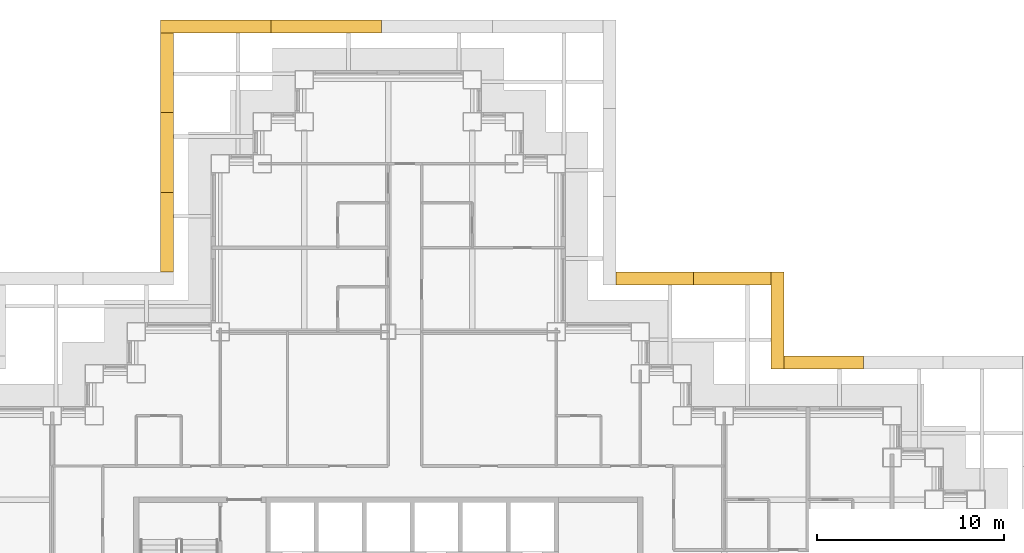
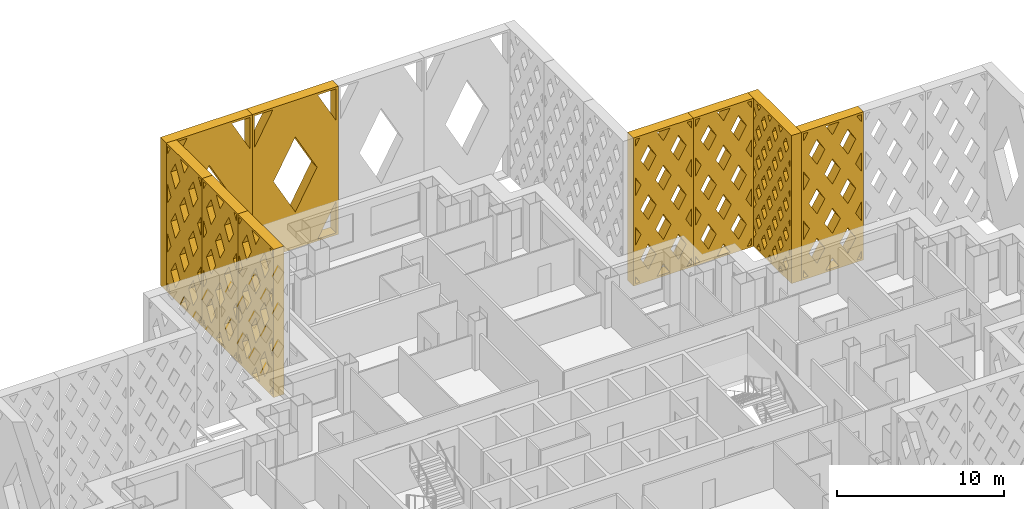
# One storey, part 18 of 19: 9 shading devices.
"""IFC4 building model written with IfcOpenShell, lengths in metres."""

from ifc_helpers import new_model, si_unit, direction, frame, origin, place, context, subcontext, project, spatial, polyline, outline, extrude, material, type_object, element, save


model = new_model("IFC4")

# Units and contexts
model_context = context("Model", 3, precision=1e-05, world=origin(), true_north=direction((0.0, 1.0)))
body_context = subcontext(model_context, "Body", "Model", "MODEL_VIEW")
ifc_project = project(units=[si_unit("LENGTHUNIT", "METRE"), si_unit("AREAUNIT", "SQUARE_METRE"), si_unit("VOLUMEUNIT", "CUBIC_METRE"), si_unit("PLANEANGLEUNIT", "RADIAN"), si_unit("MASSUNIT", "GRAM", prefix="KILO")], contexts=[model_context])

# Site, building, storey
site_placement = place(None, origin())
site = spatial("IfcSite", under=ifc_project, at=site_placement, CompositionType="ELEMENT")
building_placement = place(site_placement, origin())
building = spatial("IfcBuilding", under=site, at=building_placement, Name="Caravel Reach Hotel and Residences", CompositionType="ELEMENT")
storey_placement = place(building_placement, frame((0.0, 0.0, 74.39990234375)))
storey = spatial("IfcBuildingStorey", under=building, at=storey_placement, Name="L17", CompositionType="ELEMENT", Elevation=74.39990234375)

# Shading devices
ifc_material_1 = material(Name="Black powder-coated aluminium", Category="aluminium")
shading_device_type_1 = type_object("IfcShadingDeviceType", Name="Diamond lattice screen panel 4150 x 10800", PredefinedType="USERDEFINED", material=ifc_material_1)
shading_device_1_placement = place(storey_placement, frame((52.0, 43.0, 0.0), z_axis=(0.0, 1.0, 0.0), x_axis=(-1.0, 0.0, 0.0)))
element("IfcShadingDevice", 1, at=shading_device_1_placement, inside=storey, type_object=shading_device_type_1, Name="Lattice screen L17-L19 10.1", ObjectType="SCREEN", PredefinedType="USERDEFINED", context=body_context, shape_type="SweptSolid", body=[
    extrude(outline(polyline([(0.0, 0.0), (4.14990234375, 0.0), (4.14990234375, 10.800048828125), (0.0, 10.800048828125), (0.0, 0.0)]), holes=[polyline([(0.445556640625, 0.14990234375), (0.14990234375, 0.662841796875), (0.14990234375, 0.14990234375), (0.445556640625, 0.14990234375)]), polyline([(0.531982421875, 3.60009765625), (0.14990234375, 4.2626953125), (0.14990234375, 2.937255859375), (0.531982421875, 3.60009765625)]), polyline([(0.531982421875, 7.199951171875), (0.14990234375, 7.86279296875), (0.14990234375, 6.537353515625), (0.531982421875, 7.199951171875)]), polyline([(0.14990234375, 10.13720703125), (0.445556640625, 10.64990234375), (0.14990234375, 10.64990234375), (0.14990234375, 10.13720703125)]), polyline([(1.03759765625, 2.722900390625), (0.505615234375, 1.800048828125), (1.03759765625, 0.876953125), (1.569580078125, 1.800048828125), (1.03759765625, 2.722900390625)]), polyline([(1.03759765625, 6.322998046875), (0.505615234375, 5.39990234375), (1.03759765625, 4.47705078125), (1.569580078125, 5.39990234375), (1.03759765625, 6.322998046875)]), polyline([(1.03759765625, 9.9228515625), (0.505615234375, 9.0), (1.03759765625, 8.0771484375), (1.569580078125, 9.0), (1.03759765625, 9.9228515625)]), polyline([(2.074951171875, 0.9228515625), (1.62939453125, 0.14990234375), (2.5205078125, 0.14990234375), (2.074951171875, 0.9228515625)]), polyline([(2.074951171875, 4.52294921875), (1.54296875, 3.60009765625), (2.074951171875, 2.677001953125), (2.60693359375, 3.60009765625), (2.074951171875, 4.52294921875)]), polyline([(2.074951171875, 8.123046875), (1.54296875, 7.199951171875), (2.074951171875, 6.277099609375), (2.60693359375, 7.199951171875), (2.074951171875, 8.123046875)]), polyline([(2.074951171875, 9.876953125), (2.5205078125, 10.64990234375), (1.62939453125, 10.64990234375), (2.074951171875, 9.876953125)]), polyline([(3.112548828125, 2.722900390625), (2.58056640625, 1.800048828125), (3.112548828125, 0.876953125), (3.64453125, 1.800048828125), (3.112548828125, 2.722900390625)]), polyline([(3.112548828125, 6.322998046875), (2.58056640625, 5.39990234375), (3.112548828125, 4.47705078125), (3.64453125, 5.39990234375), (3.112548828125, 6.322998046875)]), polyline([(3.112548828125, 9.9228515625), (2.58056640625, 9.0), (3.112548828125, 8.0771484375), (3.64453125, 9.0), (3.112548828125, 9.9228515625)]), polyline([(4.0, 0.662841796875), (3.70458984375, 0.14990234375), (4.0, 0.14990234375), (4.0, 0.662841796875)]), polyline([(3.617919921875, 3.60009765625), (4.0, 2.937255859375), (4.0, 4.2626953125), (3.617919921875, 3.60009765625)]), polyline([(3.617919921875, 7.199951171875), (4.0, 6.537353515625), (4.0, 7.86279296875), (3.617919921875, 7.199951171875)]), polyline([(3.70458984375, 10.64990234375), (4.0, 10.13720703125), (4.0, 10.64990234375), (3.70458984375, 10.64990234375)])]), origin(), (0.0, 0.0, 1.0), 0.699951171875),
])
shading_device_2_placement = place(storey_placement, frame((47.85009765625, 43.0, 0.0), z_axis=(0.0, 1.0, 0.0), x_axis=(-1.0, 0.0, 0.0)))
element("IfcShadingDevice", 2, at=shading_device_2_placement, inside=storey, type_object=shading_device_type_1, Name="Lattice screen L17-L19 10.2", ObjectType="SCREEN", PredefinedType="USERDEFINED", context=body_context, shape_type="SweptSolid", body=[
    extrude(outline(polyline([(0.0, 0.0), (4.14990234375, 0.0), (4.14990234375, 10.800048828125), (0.0, 10.800048828125), (0.0, 0.0)]), holes=[polyline([(0.445556640625, 0.14990234375), (0.14990234375, 0.662841796875), (0.14990234375, 0.14990234375), (0.445556640625, 0.14990234375)]), polyline([(0.531982421875, 3.60009765625), (0.14990234375, 4.2626953125), (0.14990234375, 2.937255859375), (0.531982421875, 3.60009765625)]), polyline([(0.531982421875, 7.199951171875), (0.14990234375, 7.86279296875), (0.14990234375, 6.537353515625), (0.531982421875, 7.199951171875)]), polyline([(0.14990234375, 10.13720703125), (0.445556640625, 10.64990234375), (0.14990234375, 10.64990234375), (0.14990234375, 10.13720703125)]), polyline([(1.03759765625, 2.722900390625), (0.505615234375, 1.800048828125), (1.03759765625, 0.876953125), (1.569580078125, 1.800048828125), (1.03759765625, 2.722900390625)]), polyline([(1.03759765625, 6.322998046875), (0.505615234375, 5.39990234375), (1.03759765625, 4.47705078125), (1.569580078125, 5.39990234375), (1.03759765625, 6.322998046875)]), polyline([(1.03759765625, 9.9228515625), (0.505615234375, 9.0), (1.03759765625, 8.0771484375), (1.569580078125, 9.0), (1.03759765625, 9.9228515625)]), polyline([(2.074951171875, 0.9228515625), (1.62939453125, 0.14990234375), (2.5205078125, 0.14990234375), (2.074951171875, 0.9228515625)]), polyline([(2.074951171875, 4.52294921875), (1.54296875, 3.60009765625), (2.074951171875, 2.677001953125), (2.60693359375, 3.60009765625), (2.074951171875, 4.52294921875)]), polyline([(2.074951171875, 8.123046875), (1.54296875, 7.199951171875), (2.074951171875, 6.277099609375), (2.60693359375, 7.199951171875), (2.074951171875, 8.123046875)]), polyline([(2.074951171875, 9.876953125), (2.5205078125, 10.64990234375), (1.62939453125, 10.64990234375), (2.074951171875, 9.876953125)]), polyline([(3.112548828125, 2.722900390625), (2.58056640625, 1.800048828125), (3.112548828125, 0.876953125), (3.64453125, 1.800048828125), (3.112548828125, 2.722900390625)]), polyline([(3.112548828125, 6.322998046875), (2.58056640625, 5.39990234375), (3.112548828125, 4.47705078125), (3.64453125, 5.39990234375), (3.112548828125, 6.322998046875)]), polyline([(3.112548828125, 9.9228515625), (2.58056640625, 9.0), (3.112548828125, 8.0771484375), (3.64453125, 9.0), (3.112548828125, 9.9228515625)]), polyline([(4.0, 0.662841796875), (3.70458984375, 0.14990234375), (4.0, 0.14990234375), (4.0, 0.662841796875)]), polyline([(3.617919921875, 3.60009765625), (4.0, 2.937255859375), (4.0, 4.2626953125), (3.617919921875, 3.60009765625)]), polyline([(3.617919921875, 7.199951171875), (4.0, 6.537353515625), (4.0, 7.86279296875), (3.617919921875, 7.199951171875)]), polyline([(3.70458984375, 10.64990234375), (4.0, 10.13720703125), (4.0, 10.64990234375), (3.70458984375, 10.64990234375)])]), origin(), (0.0, 0.0, 1.0), 0.699951171875),
])
ifc_material_2 = material(Name="Black powder-coated aluminium", Category="aluminium")
shading_device_type_2 = type_object("IfcShadingDeviceType", Name="Diamond lattice screen panel 4267 x 10800", PredefinedType="USERDEFINED", material=ifc_material_2)
shading_device_3_placement = place(storey_placement, frame((56.966552734375, 38.5, 0.0), z_axis=(0.0, 1.0, 0.0), x_axis=(-1.0, 0.0, 0.0)))
element("IfcShadingDevice", 3, at=shading_device_3_placement, inside=storey, type_object=shading_device_type_2, Name="Lattice screen L17-L19 8.3", ObjectType="SCREEN", PredefinedType="USERDEFINED", context=body_context, shape_type="SweptSolid", body=[
    extrude(outline(polyline([(0.0, 0.0), (4.2666015625, 0.0), (4.2666015625, 10.800048828125), (0.0, 10.800048828125), (0.0, 0.0)]), holes=[polyline([(0.457275390625, 0.14990234375), (0.14990234375, 0.66845703125), (0.14990234375, 0.14990234375), (0.457275390625, 0.14990234375)]), polyline([(0.546142578125, 3.60009765625), (0.14990234375, 4.2685546875), (0.14990234375, 2.931396484375), (0.546142578125, 3.60009765625)]), polyline([(0.546142578125, 7.199951171875), (0.14990234375, 7.868408203125), (0.14990234375, 6.531494140625), (0.546142578125, 7.199951171875)]), polyline([(0.14990234375, 10.131591796875), (0.457275390625, 10.64990234375), (0.14990234375, 10.64990234375), (0.14990234375, 10.131591796875)]), polyline([(1.066650390625, 2.7216796875), (0.5205078125, 1.800048828125), (1.066650390625, 0.87841796875), (1.61279296875, 1.800048828125), (1.066650390625, 2.7216796875)]), polyline([(1.066650390625, 6.321533203125), (0.5205078125, 5.39990234375), (1.066650390625, 4.478271484375), (1.61279296875, 5.39990234375), (1.066650390625, 6.321533203125)]), polyline([(1.066650390625, 9.921630859375), (0.5205078125, 9.0), (1.066650390625, 8.078369140625), (1.61279296875, 9.0), (1.066650390625, 9.921630859375)]), polyline([(2.13330078125, 0.921630859375), (1.676025390625, 0.14990234375), (2.590576171875, 0.14990234375), (2.13330078125, 0.921630859375)]), polyline([(2.13330078125, 4.521728515625), (1.587158203125, 3.60009765625), (2.13330078125, 2.678466796875), (2.679443359375, 3.60009765625), (2.13330078125, 4.521728515625)]), polyline([(2.13330078125, 8.12158203125), (1.587158203125, 7.199951171875), (2.13330078125, 6.2783203125), (2.679443359375, 7.199951171875), (2.13330078125, 8.12158203125)]), polyline([(2.13330078125, 9.87841796875), (2.590576171875, 10.64990234375), (1.676025390625, 10.64990234375), (2.13330078125, 9.87841796875)]), polyline([(3.199951171875, 2.7216796875), (2.65380859375, 1.800048828125), (3.199951171875, 0.87841796875), (3.74609375, 1.800048828125), (3.199951171875, 2.7216796875)]), polyline([(3.199951171875, 6.321533203125), (2.65380859375, 5.39990234375), (3.199951171875, 4.478271484375), (3.74609375, 5.39990234375), (3.199951171875, 6.321533203125)]), polyline([(3.199951171875, 9.921630859375), (2.65380859375, 9.0), (3.199951171875, 8.078369140625), (3.74609375, 9.0), (3.199951171875, 9.921630859375)]), polyline([(4.11669921875, 0.66845703125), (3.809326171875, 0.14990234375), (4.11669921875, 0.14990234375), (4.11669921875, 0.66845703125)]), polyline([(3.720458984375, 3.60009765625), (4.11669921875, 2.931396484375), (4.11669921875, 4.2685546875), (3.720458984375, 3.60009765625)]), polyline([(3.720458984375, 7.199951171875), (4.11669921875, 6.531494140625), (4.11669921875, 7.868408203125), (3.720458984375, 7.199951171875)]), polyline([(3.809326171875, 10.64990234375), (4.11669921875, 10.131591796875), (4.11669921875, 10.64990234375), (3.809326171875, 10.64990234375)])]), origin(), (0.0, 0.0, 1.0), 0.699951171875),
])
shading_device_4_placement = place(storey_placement, frame((20.0, 56.5, 0.0), z_axis=(-1.0, 0.0, 0.0), x_axis=(0.0, -1.0, 0.0)))
element("IfcShadingDevice", 4, at=shading_device_4_placement, inside=storey, type_object=shading_device_type_2, Name="Lattice screen L17-L19 13.1", ObjectType="SCREEN", PredefinedType="USERDEFINED", context=body_context, shape_type="SweptSolid", body=[
    extrude(outline(polyline([(0.0, 0.0), (4.2666015625, 0.0), (4.2666015625, 10.800048828125), (0.0, 10.800048828125), (0.0, 0.0)]), holes=[polyline([(0.457275390625, 0.14990234375), (0.14990234375, 0.66845703125), (0.14990234375, 0.14990234375), (0.457275390625, 0.14990234375)]), polyline([(0.546142578125, 3.60009765625), (0.14990234375, 4.2685546875), (0.14990234375, 2.931396484375), (0.546142578125, 3.60009765625)]), polyline([(0.546142578125, 7.199951171875), (0.14990234375, 7.868408203125), (0.14990234375, 6.531494140625), (0.546142578125, 7.199951171875)]), polyline([(0.14990234375, 10.131591796875), (0.457275390625, 10.64990234375), (0.14990234375, 10.64990234375), (0.14990234375, 10.131591796875)]), polyline([(1.066650390625, 2.7216796875), (0.5205078125, 1.800048828125), (1.066650390625, 0.87841796875), (1.61279296875, 1.800048828125), (1.066650390625, 2.7216796875)]), polyline([(1.066650390625, 6.321533203125), (0.5205078125, 5.39990234375), (1.066650390625, 4.478271484375), (1.61279296875, 5.39990234375), (1.066650390625, 6.321533203125)]), polyline([(1.066650390625, 9.921630859375), (0.5205078125, 9.0), (1.066650390625, 8.078369140625), (1.61279296875, 9.0), (1.066650390625, 9.921630859375)]), polyline([(2.13330078125, 0.921630859375), (1.676025390625, 0.14990234375), (2.590576171875, 0.14990234375), (2.13330078125, 0.921630859375)]), polyline([(2.13330078125, 4.521728515625), (1.587158203125, 3.60009765625), (2.13330078125, 2.678466796875), (2.679443359375, 3.60009765625), (2.13330078125, 4.521728515625)]), polyline([(2.13330078125, 8.12158203125), (1.587158203125, 7.199951171875), (2.13330078125, 6.2783203125), (2.679443359375, 7.199951171875), (2.13330078125, 8.12158203125)]), polyline([(2.13330078125, 9.87841796875), (2.590576171875, 10.64990234375), (1.676025390625, 10.64990234375), (2.13330078125, 9.87841796875)]), polyline([(3.199951171875, 2.7216796875), (2.65380859375, 1.800048828125), (3.199951171875, 0.87841796875), (3.74609375, 1.800048828125), (3.199951171875, 2.7216796875)]), polyline([(3.199951171875, 6.321533203125), (2.65380859375, 5.39990234375), (3.199951171875, 4.478271484375), (3.74609375, 5.39990234375), (3.199951171875, 6.321533203125)]), polyline([(3.199951171875, 9.921630859375), (2.65380859375, 9.0), (3.199951171875, 8.078369140625), (3.74609375, 9.0), (3.199951171875, 9.921630859375)]), polyline([(4.11669921875, 0.66845703125), (3.809326171875, 0.14990234375), (4.11669921875, 0.14990234375), (4.11669921875, 0.66845703125)]), polyline([(3.720458984375, 3.60009765625), (4.11669921875, 2.931396484375), (4.11669921875, 4.2685546875), (3.720458984375, 3.60009765625)]), polyline([(3.720458984375, 7.199951171875), (4.11669921875, 6.531494140625), (4.11669921875, 7.868408203125), (3.720458984375, 7.199951171875)]), polyline([(3.809326171875, 10.64990234375), (4.11669921875, 10.131591796875), (4.11669921875, 10.64990234375), (3.809326171875, 10.64990234375)])]), origin(), (0.0, 0.0, 1.0), 0.699951171875),
])
shading_device_5_placement = place(storey_placement, frame((20.0, 52.2333984375, 0.0), z_axis=(-1.0, 0.0, 0.0), x_axis=(0.0, -1.0, 0.0)))
element("IfcShadingDevice", 5, at=shading_device_5_placement, inside=storey, type_object=shading_device_type_2, Name="Lattice screen L17-L19 13.2", ObjectType="SCREEN", PredefinedType="USERDEFINED", context=body_context, shape_type="SweptSolid", body=[
    extrude(outline(polyline([(0.0, 0.0), (4.2666015625, 0.0), (4.2666015625, 10.800048828125), (0.0, 10.800048828125), (0.0, 0.0)]), holes=[polyline([(0.457275390625, 0.14990234375), (0.14990234375, 0.66845703125), (0.14990234375, 0.14990234375), (0.457275390625, 0.14990234375)]), polyline([(0.546142578125, 3.60009765625), (0.14990234375, 4.2685546875), (0.14990234375, 2.931396484375), (0.546142578125, 3.60009765625)]), polyline([(0.546142578125, 7.199951171875), (0.14990234375, 7.868408203125), (0.14990234375, 6.531494140625), (0.546142578125, 7.199951171875)]), polyline([(0.14990234375, 10.131591796875), (0.457275390625, 10.64990234375), (0.14990234375, 10.64990234375), (0.14990234375, 10.131591796875)]), polyline([(1.066650390625, 2.7216796875), (0.5205078125, 1.800048828125), (1.066650390625, 0.87841796875), (1.61279296875, 1.800048828125), (1.066650390625, 2.7216796875)]), polyline([(1.066650390625, 6.321533203125), (0.5205078125, 5.39990234375), (1.066650390625, 4.478271484375), (1.61279296875, 5.39990234375), (1.066650390625, 6.321533203125)]), polyline([(1.066650390625, 9.921630859375), (0.5205078125, 9.0), (1.066650390625, 8.078369140625), (1.61279296875, 9.0), (1.066650390625, 9.921630859375)]), polyline([(2.13330078125, 0.921630859375), (1.676025390625, 0.14990234375), (2.590576171875, 0.14990234375), (2.13330078125, 0.921630859375)]), polyline([(2.13330078125, 4.521728515625), (1.587158203125, 3.60009765625), (2.13330078125, 2.678466796875), (2.679443359375, 3.60009765625), (2.13330078125, 4.521728515625)]), polyline([(2.13330078125, 8.12158203125), (1.587158203125, 7.199951171875), (2.13330078125, 6.2783203125), (2.679443359375, 7.199951171875), (2.13330078125, 8.12158203125)]), polyline([(2.13330078125, 9.87841796875), (2.590576171875, 10.64990234375), (1.676025390625, 10.64990234375), (2.13330078125, 9.87841796875)]), polyline([(3.199951171875, 2.7216796875), (2.65380859375, 1.800048828125), (3.199951171875, 0.87841796875), (3.74609375, 1.800048828125), (3.199951171875, 2.7216796875)]), polyline([(3.199951171875, 6.321533203125), (2.65380859375, 5.39990234375), (3.199951171875, 4.478271484375), (3.74609375, 5.39990234375), (3.199951171875, 6.321533203125)]), polyline([(3.199951171875, 9.921630859375), (2.65380859375, 9.0), (3.199951171875, 8.078369140625), (3.74609375, 9.0), (3.199951171875, 9.921630859375)]), polyline([(4.11669921875, 0.66845703125), (3.809326171875, 0.14990234375), (4.11669921875, 0.14990234375), (4.11669921875, 0.66845703125)]), polyline([(3.720458984375, 3.60009765625), (4.11669921875, 2.931396484375), (4.11669921875, 4.2685546875), (3.720458984375, 3.60009765625)]), polyline([(3.720458984375, 7.199951171875), (4.11669921875, 6.531494140625), (4.11669921875, 7.868408203125), (3.720458984375, 7.199951171875)]), polyline([(3.809326171875, 10.64990234375), (4.11669921875, 10.131591796875), (4.11669921875, 10.64990234375), (3.809326171875, 10.64990234375)])]), origin(), (0.0, 0.0, 1.0), 0.699951171875),
])
shading_device_6_placement = place(storey_placement, frame((20.0, 47.966552734375, 0.0), z_axis=(-1.0, 0.0, 0.0), x_axis=(0.0, -1.0, 0.0)))
element("IfcShadingDevice", 6, at=shading_device_6_placement, inside=storey, type_object=shading_device_type_2, Name="Lattice screen L17-L19 13.3", ObjectType="SCREEN", PredefinedType="USERDEFINED", context=body_context, shape_type="SweptSolid", body=[
    extrude(outline(polyline([(0.0, 0.0), (4.2666015625, 0.0), (4.2666015625, 10.800048828125), (0.0, 10.800048828125), (0.0, 0.0)]), holes=[polyline([(0.457275390625, 0.14990234375), (0.14990234375, 0.66845703125), (0.14990234375, 0.14990234375), (0.457275390625, 0.14990234375)]), polyline([(0.546142578125, 3.60009765625), (0.14990234375, 4.2685546875), (0.14990234375, 2.931396484375), (0.546142578125, 3.60009765625)]), polyline([(0.546142578125, 7.199951171875), (0.14990234375, 7.868408203125), (0.14990234375, 6.531494140625), (0.546142578125, 7.199951171875)]), polyline([(0.14990234375, 10.131591796875), (0.457275390625, 10.64990234375), (0.14990234375, 10.64990234375), (0.14990234375, 10.131591796875)]), polyline([(1.066650390625, 2.7216796875), (0.5205078125, 1.800048828125), (1.066650390625, 0.87841796875), (1.61279296875, 1.800048828125), (1.066650390625, 2.7216796875)]), polyline([(1.066650390625, 6.321533203125), (0.5205078125, 5.39990234375), (1.066650390625, 4.478271484375), (1.61279296875, 5.39990234375), (1.066650390625, 6.321533203125)]), polyline([(1.066650390625, 9.921630859375), (0.5205078125, 9.0), (1.066650390625, 8.078369140625), (1.61279296875, 9.0), (1.066650390625, 9.921630859375)]), polyline([(2.13330078125, 0.921630859375), (1.676025390625, 0.14990234375), (2.590576171875, 0.14990234375), (2.13330078125, 0.921630859375)]), polyline([(2.13330078125, 4.521728515625), (1.587158203125, 3.60009765625), (2.13330078125, 2.678466796875), (2.679443359375, 3.60009765625), (2.13330078125, 4.521728515625)]), polyline([(2.13330078125, 8.12158203125), (1.587158203125, 7.199951171875), (2.13330078125, 6.2783203125), (2.679443359375, 7.199951171875), (2.13330078125, 8.12158203125)]), polyline([(2.13330078125, 9.87841796875), (2.590576171875, 10.64990234375), (1.676025390625, 10.64990234375), (2.13330078125, 9.87841796875)]), polyline([(3.199951171875, 2.7216796875), (2.65380859375, 1.800048828125), (3.199951171875, 0.87841796875), (3.74609375, 1.800048828125), (3.199951171875, 2.7216796875)]), polyline([(3.199951171875, 6.321533203125), (2.65380859375, 5.39990234375), (3.199951171875, 4.478271484375), (3.74609375, 5.39990234375), (3.199951171875, 6.321533203125)]), polyline([(3.199951171875, 9.921630859375), (2.65380859375, 9.0), (3.199951171875, 8.078369140625), (3.74609375, 9.0), (3.199951171875, 9.921630859375)]), polyline([(4.11669921875, 0.66845703125), (3.809326171875, 0.14990234375), (4.11669921875, 0.14990234375), (4.11669921875, 0.66845703125)]), polyline([(3.720458984375, 3.60009765625), (4.11669921875, 2.931396484375), (4.11669921875, 4.2685546875), (3.720458984375, 3.60009765625)]), polyline([(3.720458984375, 7.199951171875), (4.11669921875, 6.531494140625), (4.11669921875, 7.868408203125), (3.720458984375, 7.199951171875)]), polyline([(3.809326171875, 10.64990234375), (4.11669921875, 10.131591796875), (4.11669921875, 10.64990234375), (3.809326171875, 10.64990234375)])]), origin(), (0.0, 0.0, 1.0), 0.699951171875),
])
ifc_material_3 = material(Name="Black powder-coated aluminium", Category="aluminium")
shading_device_type_3 = type_object("IfcShadingDeviceType", Name="Diamond lattice screen panel 5200 x 10800", PredefinedType="USERDEFINED", material=ifc_material_3)
shading_device_7_placement = place(storey_placement, frame((52.0, 38.5, 0.0), z_axis=(1.0, 0.0, 0.0), x_axis=(0.0, 1.0, 0.0)))
element("IfcShadingDevice", 7, at=shading_device_7_placement, inside=storey, type_object=shading_device_type_3, Name="Lattice screen L17-L19 9.1", ObjectType="SCREEN", PredefinedType="USERDEFINED", context=body_context, shape_type="SweptSolid", body=[
    extrude(outline(polyline([(0.0, 0.0), (5.199951171875, 0.0), (5.199951171875, 10.800048828125), (0.0, 10.800048828125), (0.0, 0.0)]), holes=[polyline([(0.3271484375, 2.159912109375), (0.14990234375, 2.454345703125), (0.14990234375, 1.86572265625), (0.3271484375, 2.159912109375)]), polyline([(0.3271484375, 4.320068359375), (0.14990234375, 4.6142578125), (0.14990234375, 4.025634765625), (0.3271484375, 4.320068359375)]), polyline([(0.3271484375, 6.47998046875), (0.14990234375, 6.774169921875), (0.14990234375, 6.185791015625), (0.3271484375, 6.47998046875)]), polyline([(0.3271484375, 8.639892578125), (0.14990234375, 8.934326171875), (0.14990234375, 8.345703125), (0.3271484375, 8.639892578125)]), polyline([(0.64990234375, 1.62353515625), (0.322998046875, 1.080078125), (0.64990234375, 0.536376953125), (0.97705078125, 1.080078125), (0.64990234375, 1.62353515625)]), polyline([(0.64990234375, 3.783447265625), (0.322998046875, 3.239990234375), (0.64990234375, 2.696533203125), (0.97705078125, 3.239990234375), (0.64990234375, 3.783447265625)]), polyline([(0.64990234375, 5.943603515625), (0.322998046875, 5.39990234375), (0.64990234375, 4.8564453125), (0.97705078125, 5.39990234375), (0.64990234375, 5.943603515625)]), polyline([(0.64990234375, 8.103515625), (0.322998046875, 7.56005859375), (0.64990234375, 7.016357421875), (0.97705078125, 7.56005859375), (0.64990234375, 8.103515625)]), polyline([(0.64990234375, 10.263427734375), (0.322998046875, 9.719970703125), (0.64990234375, 9.176513671875), (0.97705078125, 9.719970703125), (0.64990234375, 10.263427734375)]), polyline([(1.300048828125, 0.54345703125), (1.063232421875, 0.14990234375), (1.536865234375, 0.14990234375), (1.300048828125, 0.54345703125)]), polyline([(1.300048828125, 2.70361328125), (0.972900390625, 2.159912109375), (1.300048828125, 1.616455078125), (1.627197265625, 2.159912109375), (1.300048828125, 2.70361328125)]), polyline([(1.300048828125, 4.863525390625), (0.972900390625, 4.320068359375), (1.300048828125, 3.7763671875), (1.627197265625, 4.320068359375), (1.300048828125, 4.863525390625)]), polyline([(1.300048828125, 7.0234375), (0.972900390625, 6.47998046875), (1.300048828125, 5.9365234375), (1.627197265625, 6.47998046875), (1.300048828125, 7.0234375)]), polyline([(1.300048828125, 9.18359375), (0.972900390625, 8.639892578125), (1.300048828125, 8.096435546875), (1.627197265625, 8.639892578125), (1.300048828125, 9.18359375)]), polyline([(1.300048828125, 10.256591796875), (1.536865234375, 10.64990234375), (1.063232421875, 10.64990234375), (1.300048828125, 10.256591796875)]), polyline([(1.949951171875, 1.62353515625), (1.622802734375, 1.080078125), (1.949951171875, 0.536376953125), (2.277099609375, 1.080078125), (1.949951171875, 1.62353515625)]), polyline([(1.949951171875, 3.783447265625), (1.622802734375, 3.239990234375), (1.949951171875, 2.696533203125), (2.277099609375, 3.239990234375), (1.949951171875, 3.783447265625)]), polyline([(1.949951171875, 5.943603515625), (1.622802734375, 5.39990234375), (1.949951171875, 4.8564453125), (2.277099609375, 5.39990234375), (1.949951171875, 5.943603515625)]), polyline([(1.949951171875, 8.103515625), (1.622802734375, 7.56005859375), (1.949951171875, 7.016357421875), (2.277099609375, 7.56005859375), (1.949951171875, 8.103515625)]), polyline([(1.949951171875, 10.263427734375), (1.622802734375, 9.719970703125), (1.949951171875, 9.176513671875), (2.277099609375, 9.719970703125), (1.949951171875, 10.263427734375)]), polyline([(2.60009765625, 0.54345703125), (2.363037109375, 0.14990234375), (2.8369140625, 0.14990234375), (2.60009765625, 0.54345703125)]), polyline([(2.60009765625, 2.70361328125), (2.27294921875, 2.159912109375), (2.60009765625, 1.616455078125), (2.927001953125, 2.159912109375), (2.60009765625, 2.70361328125)]), polyline([(2.60009765625, 4.863525390625), (2.27294921875, 4.320068359375), (2.60009765625, 3.7763671875), (2.927001953125, 4.320068359375), (2.60009765625, 4.863525390625)]), polyline([(2.60009765625, 7.0234375), (2.27294921875, 6.47998046875), (2.60009765625, 5.9365234375), (2.927001953125, 6.47998046875), (2.60009765625, 7.0234375)]), polyline([(2.60009765625, 9.18359375), (2.27294921875, 8.639892578125), (2.60009765625, 8.096435546875), (2.927001953125, 8.639892578125), (2.60009765625, 9.18359375)]), polyline([(2.60009765625, 10.256591796875), (2.8369140625, 10.64990234375), (2.363037109375, 10.64990234375), (2.60009765625, 10.256591796875)]), polyline([(3.25, 1.62353515625), (2.9228515625, 1.080078125), (3.25, 0.536376953125), (3.5771484375, 1.080078125), (3.25, 1.62353515625)]), polyline([(3.25, 3.783447265625), (2.9228515625, 3.239990234375), (3.25, 2.696533203125), (3.5771484375, 3.239990234375), (3.25, 3.783447265625)]), polyline([(3.25, 5.943603515625), (2.9228515625, 5.39990234375), (3.25, 4.8564453125), (3.5771484375, 5.39990234375), (3.25, 5.943603515625)]), polyline([(3.25, 8.103515625), (2.9228515625, 7.56005859375), (3.25, 7.016357421875), (3.5771484375, 7.56005859375), (3.25, 8.103515625)]), polyline([(3.25, 10.263427734375), (2.9228515625, 9.719970703125), (3.25, 9.176513671875), (3.5771484375, 9.719970703125), (3.25, 10.263427734375)]), polyline([(3.89990234375, 0.54345703125), (3.6630859375, 0.14990234375), (4.136962890625, 0.14990234375), (3.89990234375, 0.54345703125)]), polyline([(3.89990234375, 2.70361328125), (3.572998046875, 2.159912109375), (3.89990234375, 1.616455078125), (4.22705078125, 2.159912109375), (3.89990234375, 2.70361328125)]), polyline([(3.89990234375, 4.863525390625), (3.572998046875, 4.320068359375), (3.89990234375, 3.7763671875), (4.22705078125, 4.320068359375), (3.89990234375, 4.863525390625)]), polyline([(3.89990234375, 7.0234375), (3.572998046875, 6.47998046875), (3.89990234375, 5.9365234375), (4.22705078125, 6.47998046875), (3.89990234375, 7.0234375)]), polyline([(3.89990234375, 9.18359375), (3.572998046875, 8.639892578125), (3.89990234375, 8.096435546875), (4.22705078125, 8.639892578125), (3.89990234375, 9.18359375)]), polyline([(3.89990234375, 10.256591796875), (4.136962890625, 10.64990234375), (3.6630859375, 10.64990234375), (3.89990234375, 10.256591796875)]), polyline([(4.550048828125, 1.62353515625), (4.222900390625, 1.080078125), (4.550048828125, 0.536376953125), (4.877197265625, 1.080078125), (4.550048828125, 1.62353515625)]), polyline([(4.550048828125, 3.783447265625), (4.222900390625, 3.239990234375), (4.550048828125, 2.696533203125), (4.877197265625, 3.239990234375), (4.550048828125, 3.783447265625)]), polyline([(4.550048828125, 5.943603515625), (4.222900390625, 5.39990234375), (4.550048828125, 4.8564453125), (4.877197265625, 5.39990234375), (4.550048828125, 5.943603515625)]), polyline([(4.550048828125, 8.103515625), (4.222900390625, 7.56005859375), (4.550048828125, 7.016357421875), (4.877197265625, 7.56005859375), (4.550048828125, 8.103515625)]), polyline([(4.550048828125, 10.263427734375), (4.222900390625, 9.719970703125), (4.550048828125, 9.176513671875), (4.877197265625, 9.719970703125), (4.550048828125, 10.263427734375)]), polyline([(4.872802734375, 2.159912109375), (5.050048828125, 1.86572265625), (5.050048828125, 2.454345703125), (4.872802734375, 2.159912109375)]), polyline([(4.872802734375, 4.320068359375), (5.050048828125, 4.025634765625), (5.050048828125, 4.6142578125), (4.872802734375, 4.320068359375)]), polyline([(4.872802734375, 6.47998046875), (5.050048828125, 6.185791015625), (5.050048828125, 6.774169921875), (4.872802734375, 6.47998046875)]), polyline([(4.872802734375, 8.639892578125), (5.050048828125, 8.345703125), (5.050048828125, 8.934326171875), (4.872802734375, 8.639892578125)])]), origin(), (0.0, 0.0, 1.0), 0.699951171875),
])
ifc_material_4 = material(Name="Black powder-coated aluminium", Category="aluminium")
shading_device_type_4 = type_object("IfcShadingDeviceType", Name="Diamond lattice screen panel 5925 x 10800", PredefinedType="USERDEFINED", material=ifc_material_4)
for number, where, z_axis, x_axis, name in (
    (8, (31.14990234375, 56.5, 0.0), (0.0, 1.0, 0.0), (-1.0, 0.0, 0.0), "Lattice screen L17-L19 12.3"),
    (9, (25.22509765625, 56.5, 0.0), (0.0, 1.0, 0.0), (-1.0, 0.0, 0.0), "Lattice screen L17-L19 12.4"),
):
    element("IfcShadingDevice", number, at=place(storey_placement, frame(where, z_axis=z_axis, x_axis=x_axis)), inside=storey, type_object=shading_device_type_4, Name=name, ObjectType="SCREEN", PredefinedType="USERDEFINED", context=body_context, shape_type="SweptSolid", body=[
        extrude(outline(polyline([(0.0, 0.0), (5.925048828125, 0.0), (5.925048828125, 10.800048828125), (0.0, 10.800048828125), (0.0, 0.0)]), holes=[polyline([(1.41845703125, 0.14990234375), (0.14990234375, 2.462158203125), (0.14990234375, 0.14990234375), (1.41845703125, 0.14990234375)]), polyline([(0.14990234375, 8.337646484375), (1.41845703125, 10.64990234375), (0.14990234375, 10.64990234375), (0.14990234375, 8.337646484375)]), polyline([(2.96240234375, 8.1357421875), (1.461669921875, 5.39990234375), (2.96240234375, 2.664306640625), (4.46337890625, 5.39990234375), (2.96240234375, 8.1357421875)]), polyline([(5.77490234375, 2.462158203125), (4.506591796875, 0.14990234375), (5.77490234375, 0.14990234375), (5.77490234375, 2.462158203125)]), polyline([(4.506591796875, 10.64990234375), (5.77490234375, 8.337646484375), (5.77490234375, 10.64990234375), (4.506591796875, 10.64990234375)])]), origin(), (0.0, 0.0, 1.0), 0.699951171875),
    ])

save(model, "model.ifc")
